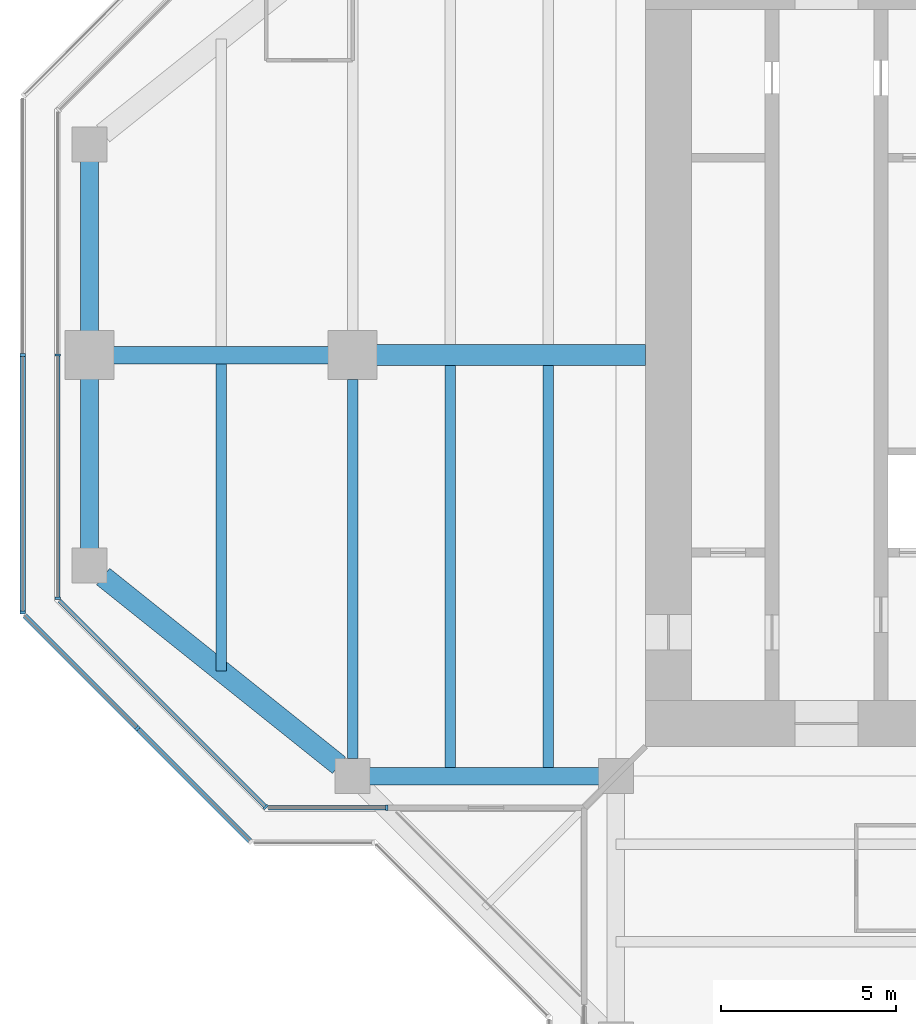
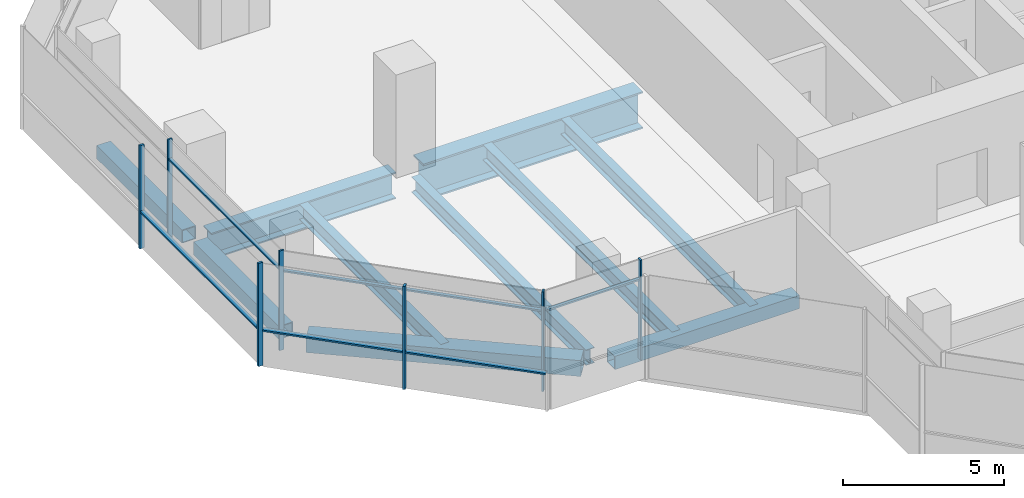
# One storey, part 3 of 15: 13 members, 10 beams, 5 elements without a shape of their own.
"""IFC4 building model written with IfcOpenShell, lengths in metres."""

import ifcopenshell
import ifcopenshell.guid

model = None  # the IFC model being written
_history = None  # IfcOwnerHistory: only IFC2X3 demands one
_inside = {}  # id of a spatial element -> (the spatial element, [elements in it])
_under = {}  # id of a project, library or spatial element -> (it, [spatial elements below it])
_declared = {}  # id of a project -> (the project, [libraries it declares])
_typed = {}  # id of a type object -> (the type object, [elements of that type])
_made_of = {}  # id of a material, layer set ... -> (it, [elements and type objects made of it])


def new_model(schema):
    """Start an empty IFC model of exactly this schema.

    Asked for "IFC4X3", IfcOpenShell would pick the latest addendum, in which some entities
    have other attributes; the version numbers below select the first issue.
    IFC2X3 requires an IfcOwnerHistory on every rooted entity: one is made here for all.
    """
    global model, _history
    if schema == "IFC4X3":
        model = ifcopenshell.file(schema_version=(4, 3, 0, 0))
    else:
        model = ifcopenshell.file(schema=schema)
    _inside.clear()
    _under.clear()
    _declared.clear()
    _typed.clear()
    _made_of.clear()
    _history = None
    if model.schema == "IFC2X3":
        org = make("IfcOrganization", Name="unknown")
        user = make(
            "IfcPersonAndOrganization",
            ThePerson=make("IfcPerson", FamilyName="unknown"),
            TheOrganization=org,
        )
        app = make(
            "IfcApplication",
            ApplicationDeveloper=org,
            Version="unknown",
            ApplicationFullName="unknown",
            ApplicationIdentifier="unknown",
        )
        _history = make(
            "IfcOwnerHistory",
            OwningUser=user,
            OwningApplication=app,
            ChangeAction="ADDED",
            CreationDate=0,
        )
    return model


def make(cls, **values):
    """One entity of the class cls with the attributes given. An attribute that is None is left unset."""
    return model.create_entity(
        cls, **{name: value for name, value in values.items() if value is not None}
    )


def rooted(cls, **values):
    """An entity with a GlobalId (a new one), such as an element, a storey or a relation."""
    return make(cls, GlobalId=ifcopenshell.guid.new(), OwnerHistory=_history, **values)


def si_unit(unit_type, name, prefix=None):
    """IfcSIUnit, for example si_unit("LENGTHUNIT", "METRE", prefix="MILLI")."""
    return make("IfcSIUnit", UnitType=unit_type, Prefix=prefix, Name=name)


def assignment(units):
    """IfcUnitAssignment: the units of a project."""
    return None if units is None else make("IfcUnitAssignment", Units=units)


def point(xyz):
    """IfcCartesianPoint."""
    return None if xyz is None else make("IfcCartesianPoint", Coordinates=xyz)


def direction(xyz):
    """IfcDirection."""
    return None if xyz is None else make("IfcDirection", DirectionRatios=xyz)


def frame(location, z_axis=None, x_axis=None):
    """IfcAxis2Placement3D, a coordinate frame: its origin and axes. An axis left out is left unset."""
    return make(
        "IfcAxis2Placement3D",
        Location=point(location),
        Axis=direction(z_axis),
        RefDirection=direction(x_axis),
    )


def frame_2d(location, x_axis=None):
    """IfcAxis2Placement2D, a coordinate frame in the plane: its origin and x axis."""
    return make(
        "IfcAxis2Placement2D", Location=point(location), RefDirection=direction(x_axis)
    )


def origin():
    """The frame at (0, 0, 0) with its axes left unset."""
    return frame((0.0, 0.0, 0.0))


def origin_2d():
    """The frame at (0, 0) in the plane with its x axis left unset."""
    return frame_2d((0.0, 0.0))


def place(relative_to, where):
    """IfcLocalPlacement: puts the frame where relative to a parent placement (None: the world)."""
    return make(
        "IfcLocalPlacement", PlacementRelTo=relative_to, RelativePlacement=where
    )


def context(
    kind, dimensions, precision=None, world=None, true_north=None, identifier=None
):
    """IfcGeometricRepresentationContext, for example the 3D "Model" context."""
    return make(
        "IfcGeometricRepresentationContext",
        ContextIdentifier=identifier,
        ContextType=kind,
        CoordinateSpaceDimension=dimensions,
        Precision=precision,
        WorldCoordinateSystem=world,
        TrueNorth=true_north,
    )


def subcontext(parent, identifier, kind, view, scale=None):
    """IfcGeometricRepresentationSubContext, for example "Body" below "Model"."""
    return make(
        "IfcGeometricRepresentationSubContext",
        ContextIdentifier=identifier,
        ContextType=kind,
        ParentContext=parent,
        TargetScale=scale,
        TargetView=view,
    )


def project(units=None, contexts=None):
    """IfcProject with its units and contexts."""
    return rooted(
        "IfcProject",
        Name="project",
        RepresentationContexts=contexts,
        UnitsInContext=assignment(units),
    )


def spatial(cls, under=None, at=None, **own):
    """A site, building, storey or space (cls), placed at a placement, below another one or the project."""
    s = rooted(cls, ObjectPlacement=at, **own)
    if under is not None:
        _under.setdefault(under.id(), (under, []))[1].append(s)
    return s


def profile(cls, at=None, kind="AREA", **sizes):
    """A parametric profile (cls). Its sizes go by their IFC names, for example OverallWidth=200.0."""
    return make(cls, ProfileType=kind, Position=at, **sizes)


def rectangle(**sizes):
    """IfcRectangleProfileDef."""
    return profile("IfcRectangleProfileDef", **sizes)


def hollow_rectangle(**sizes):
    """IfcRectangleHollowProfileDef."""
    return profile("IfcRectangleHollowProfileDef", **sizes)


def i_section(**sizes):
    """IfcIShapeProfileDef."""
    return profile("IfcIShapeProfileDef", **sizes)


def extrude(swept, where, along, depth):
    """IfcExtrudedAreaSolid: the profile swept, set in the frame where, extruded along a direction by depth."""
    return make(
        "IfcExtrudedAreaSolid",
        SweptArea=swept,
        Position=where,
        ExtrudedDirection=direction(along),
        Depth=depth,
    )


def shape(context_of_items, identifier, shape_type, items):
    """IfcShapeRepresentation: the items that make up one representation, for example the "Body"."""
    return make(
        "IfcShapeRepresentation",
        ContextOfItems=context_of_items,
        RepresentationIdentifier=identifier,
        RepresentationType=shape_type,
        Items=items,
    )


def material(Name=None, Category=None):
    """IfcMaterial."""
    return make("IfcMaterial", Name=Name, Category=Category)


def material_profile(
    of_material, cross_section, Name=None, Category=None, Priority=None
):
    """IfcMaterialProfile: a cross section and its material."""
    return make(
        "IfcMaterialProfile",
        Name=Name,
        Material=of_material,
        Profile=cross_section,
        Priority=Priority,
        Category=Category,
    )


def profile_set(profiles, Name=None, composite=None):
    """IfcMaterialProfileSet."""
    return make(
        "IfcMaterialProfileSet",
        Name=Name,
        MaterialProfiles=profiles,
        CompositeProfile=composite,
    )


def made_of(thing, what):
    """Note that an element or type object is made of a material, layer set ...; save() writes the relation."""
    if what is not None:
        _made_of.setdefault(what.id(), (what, []))[1].append(thing)
    return thing


def type_object(cls, material=None, **own):
    """A type object (cls), such as IfcWallType, which elements share."""
    return made_of(rooted(cls, **own), material)


def element(
    cls,
    number,
    at=None,
    inside=None,
    cuts=None,
    type_object=None,
    material=None,
    context=None,
    identifier="Body",
    shape_type=None,
    held_by="IfcProductDefinitionShape",
    body=None,
    shapes=None,
    **own,
):
    """One element of the class cls, such as IfcWall. Its Tag is "e" and its number.

    at: its placement. inside: the storey or other place that contains it. cuts: it is an
    opening in that element (IfcRelVoidsElement). A single representation is given by context,
    identifier, shape_type and body (its items); several are given by shapes. held_by: the class
    of the entity that holds the representations. save() writes the other relations.
    """
    e = rooted(cls, Tag="e%d" % number, ObjectPlacement=at, **own)
    if body is not None:
        shapes = [shape(context, identifier, shape_type, body)]
    if shapes is not None:
        e.Representation = make(held_by, Representations=shapes)
    if inside is not None:
        _inside.setdefault(inside.id(), (inside, []))[1].append(e)
    if cuts is not None:
        rooted(
            "IfcRelVoidsElement", RelatingBuildingElement=cuts, RelatedOpeningElement=e
        )
    if type_object is not None:
        _typed.setdefault(type_object.id(), (type_object, []))[1].append(e)
    return made_of(e, material)


def aggregate(whole, parts):
    """IfcRelAggregates: a whole, such as a stair, and the parts it consists of."""
    return rooted("IfcRelAggregates", RelatingObject=whole, RelatedObjects=parts)


def save(model, path):
    """Write the relations noted so far, then the file.

    IfcRelAggregates (storeys below a building ...), IfcRelContainedInSpatialStructure (elements
    in a storey), IfcRelDefinesByType, IfcRelAssociatesMaterial and IfcRelDeclares: one each for
    every whole, place, type object, material and project.
    """
    for whole, parts in _under.values():
        aggregate(whole, parts)
    for where, things in _inside.values():
        rooted(
            "IfcRelContainedInSpatialStructure",
            RelatedElements=things,
            RelatingStructure=where,
        )
    for kind, things in _typed.values():
        rooted("IfcRelDefinesByType", RelatedObjects=things, RelatingType=kind)
    for what, things in _made_of.values():
        rooted("IfcRelAssociatesMaterial", RelatedObjects=things, RelatingMaterial=what)
    for by, libraries in _declared.values():
        rooted("IfcRelDeclares", RelatingContext=by, RelatedDefinitions=libraries)
    model.write(path)


model = new_model("IFC4")

# Units and contexts
model_context = context("Model", 3, precision=1e-05, world=origin(), true_north=direction((0.0, 1.0)))
body_context = subcontext(model_context, "Body", "Model", "MODEL_VIEW")
ifc_project = project(units=[si_unit("LENGTHUNIT", "METRE"), si_unit("AREAUNIT", "SQUARE_METRE"), si_unit("VOLUMEUNIT", "CUBIC_METRE"), si_unit("PLANEANGLEUNIT", "RADIAN"), si_unit("MASSUNIT", "GRAM", prefix="KILO")], contexts=[model_context])

# Site, building, storey
site_placement = place(None, origin())
site = spatial("IfcSite", under=ifc_project, at=site_placement, CompositionType="ELEMENT")
building_placement = place(site_placement, origin())
building = spatial("IfcBuilding", under=site, at=building_placement, Name="Mizan Broadcast Tower", CompositionType="ELEMENT")
storey_placement = place(building_placement, frame((0.0, 0.0, 275.10009765625)))
storey = spatial("IfcBuildingStorey", under=building, at=storey_placement, Name="L65", CompositionType="ELEMENT", Elevation=275.10009765625)

# Beams
ifc_material_1 = material(Name="Steel S355", Category="steel")
ifc_material_profile_1 = material_profile(ifc_material_1, hollow_rectangle(XDim=0.5, YDim=0.5, WallThickness=0.030029296875, at=origin_2d()), Name="BOX 500x500x30")
ifc_profile_set_1 = profile_set([ifc_material_profile_1], Name="Steel S355")
beam_type_1 = type_object("IfcBeamType", Name="EDGE BEAM BOX 500x500x30", PredefinedType="SPANDREL", material=ifc_profile_set_1)
beam_1_placement = place(storey_placement, frame((-27.0, 5.639892578125, -0.380126953125), z_axis=(0.0, -1.0, 0.0), x_axis=(1.0, 0.0, 0.0)))
element("IfcBeam", 1, at=beam_1_placement, inside=storey, type_object=beam_type_1, Name="Edge beam BOX 500x500x30 L65 west arm", PredefinedType="SPANDREL", context=body_context, shape_type="SweptSolid", body=[
    extrude(hollow_rectangle(XDim=0.5, YDim=0.5, WallThickness=0.030029296875, at=origin_2d()), origin(), (0.0, 0.0, 1.0), 5.27978515625),
])
beam_2_placement = place(storey_placement, frame((-12.449951171875, -12.0, -0.380126953125), z_axis=(-1.0, 0.0, 0.0), x_axis=(0.0, -1.0, 0.0)))
element("IfcBeam", 2, at=beam_2_placement, inside=storey, type_object=beam_type_1, Name="Edge beam BOX 500x500x30 L65 west arm", PredefinedType="SPANDREL", context=body_context, shape_type="SweptSolid", body=[
    extrude(hollow_rectangle(XDim=0.5, YDim=0.5, WallThickness=0.030029296875, at=origin_2d()), origin(), (0.0, 0.0, 1.0), 6.60009765625),
])
beam_3_placement = place(storey_placement, frame((-27.0, -5.639892578125, -0.380126953125), z_axis=(0.0, 1.0, 0.0), x_axis=(-1.0, 0.0, 0.0)))
element("IfcBeam", 3, at=beam_3_placement, inside=storey, type_object=beam_type_1, Name="Edge beam BOX 500x500x30 L65 west arm", PredefinedType="SPANDREL", context=body_context, shape_type="SweptSolid", body=[
    extrude(hollow_rectangle(XDim=0.5, YDim=0.5, WallThickness=0.030029296875, at=origin_2d()), origin(), (0.0, 0.0, 1.0), 5.27978515625),
])
ifc_material_2 = material(Name="Steel S355", Category="steel")
ifc_material_profile_2 = material_profile(ifc_material_2, hollow_rectangle(XDim=0.60009765625, YDim=0.60009765625, WallThickness=0.030029296875, at=origin_2d()), Name="BOX 600x600x30")
ifc_profile_set_2 = profile_set([ifc_material_profile_2], Name="Steel S355")
beam_type_2 = type_object("IfcBeamType", Name="EDGE BEAM BOX 600x600x30", PredefinedType="SPANDREL", material=ifc_profile_set_2)
beam_4_placement = place(storey_placement, frame((-19.890380859375, -11.687744140625, -0.43017578125), z_axis=(-0.780863273348, 0.62470196761, 0.0), x_axis=(-0.62470196761, -0.780863273348, 0.0)))
element("IfcBeam", 4, at=beam_4_placement, inside=storey, type_object=beam_type_2, Name="Edge beam BOX 600x600x30 L65 west arm", PredefinedType="SPANDREL", context=body_context, shape_type="SweptSolid", body=[
    extrude(hollow_rectangle(XDim=0.60009765625, YDim=0.60009765625, WallThickness=0.030029296875, at=origin_2d()), origin(), (0.0, 0.0, 1.0), 8.60498046875),
])
ifc_material_3 = material(Name="Steel S355", Category="steel")
ifc_material_profile_3 = material_profile(ifc_material_3, i_section(OverallWidth=0.300048828125, OverallDepth=0.590087890625, WebThickness=0.012939453125, FlangeThickness=0.02490234375, FilletRadius=0.027099609375, at=origin_2d()), Name="HEA 600")
ifc_profile_set_3 = profile_set([ifc_material_profile_3], Name="Steel S355")
beam_type_3 = type_object("IfcBeamType", Name="GIRDER HEA 600", PredefinedType="BEAM", material=ifc_profile_set_3)
beam_5_placement = place(storey_placement, frame((-19.5, -11.5, -0.425048828125), z_axis=(0.0, 1.0, 0.0), x_axis=(-1.0, 0.0, 0.0)))
element("IfcBeam", 5, at=beam_5_placement, inside=storey, type_object=beam_type_3, Name="Girder HEA 600 L65 west arm", PredefinedType="BEAM", context=body_context, shape_type="SweptSolid", body=[
    extrude(i_section(OverallWidth=0.300048828125, OverallDepth=0.590087890625, WebThickness=0.012939453125, FlangeThickness=0.02490234375, FilletRadius=0.027099609375, at=origin_2d()), origin(), (0.0, 0.0, 1.0), 10.800048828125),
])
ifc_material_4 = material(Name="Steel S460", Category="steel")
ifc_material_profile_4 = material_profile(ifc_material_4, i_section(OverallWidth=0.5, OverallDepth=1.0, WebThickness=0.02490234375, FlangeThickness=0.050048828125, at=origin_2d()), Name="WPG 1000x500")
ifc_profile_set_4 = profile_set([ifc_material_profile_4], Name="Steel S460")
beam_type_4 = type_object("IfcBeamType", Name="GIRDER WPG 1000x500", PredefinedType="BEAM", material=ifc_profile_set_4)
beam_6_placement = place(storey_placement, frame((-19.949951171875, 0.0, -0.630126953125), z_axis=(-1.0, 0.0, 0.0), x_axis=(0.0, -1.0, 0.0)))
element("IfcBeam", 6, at=beam_6_placement, inside=storey, type_object=beam_type_4, Name="Girder WPG 1000x500 L65 west arm", PredefinedType="BEAM", context=body_context, shape_type="SweptSolid", body=[
    extrude(i_section(OverallWidth=0.5, OverallDepth=1.0, WebThickness=0.02490234375, FlangeThickness=0.050048828125, at=origin_2d()), origin(), (0.0, 0.0, 1.0), 6.60009765625),
])
ifc_material_5 = material(Name="Steel S460", Category="steel")
ifc_material_profile_5 = material_profile(ifc_material_5, i_section(OverallWidth=0.60009765625, OverallDepth=1.39990234375, WebThickness=0.02490234375, FlangeThickness=0.06005859375, at=origin_2d()), Name="WPG 1400x600")
ifc_profile_set_5 = profile_set([ifc_material_profile_5], Name="Steel S460")
beam_type_5 = type_object("IfcBeamType", Name="GIRDER WPG 1400x600", PredefinedType="BEAM", material=ifc_profile_set_5)
beam_7_placement = place(storey_placement, frame((-11.14990234375, 0.0, -0.830078125), z_axis=(-1.0, 0.0, 0.0), x_axis=(0.0, -1.0, 0.0)))
element("IfcBeam", 7, at=beam_7_placement, inside=storey, type_object=beam_type_5, Name="Girder WPG 1400x600 L65 west arm", PredefinedType="BEAM", context=body_context, shape_type="SweptSolid", body=[
    extrude(i_section(OverallWidth=0.60009765625, OverallDepth=1.39990234375, WebThickness=0.02490234375, FlangeThickness=0.06005859375, at=origin_2d()), origin(), (0.0, 0.0, 1.0), 7.84912109375),
])

# Curtain wall, members
ifc_material_6 = material(Name="Aluminium framed glazing", Category="aluminium")
curtain_wall_type_1 = type_object("IfcCurtainWallType", Name="INNER SKIN TOP ZONE", PredefinedType="USERDEFINED", material=ifc_material_6)
curtain_wall_1_placement = place(storey_placement, origin())
curtain_wall_1 = element("IfcCurtainWall", 8, at=curtain_wall_1_placement, inside=storey, type_object=curtain_wall_type_1, Name="Inner skin top zone L65 W end", ObjectType="INNER SKIN TOP ZONE", PredefinedType="USERDEFINED")
ifc_material_7 = material(Name="Aluminium, pale anodised", Category="aluminium")
ifc_material_profile_6 = material_profile(ifc_material_7, rectangle(XDim=0.159912109375, YDim=0.06005859375, at=origin_2d()), Name="MULLION 160x60")
ifc_profile_set_6 = profile_set([ifc_material_profile_6], Name="Aluminium, pale anodised")
member_type_1 = type_object("IfcMemberType", Name="INNER SKIN MULLION 60x160", PredefinedType="MULLION", material=ifc_profile_set_6)
member_1_placement = place(storey_placement, frame((-27.89990234375, 0.0, 0.0), z_axis=(0.0, 0.0, 1.0), x_axis=(1.0, 0.0, 0.0)))
member_1 = element("IfcMember", 9, at=member_1_placement, type_object=member_type_1, Name="Inner skin top zone L65 W end mullion 2", PredefinedType="MULLION", context=body_context, shape_type="SweptSolid", body=[
    extrude(rectangle(XDim=0.159912109375, YDim=0.06005859375, at=origin_2d()), origin(), (0.0, 0.0, 1.0), 3.77001953125),
])
member_2_placement = place(storey_placement, frame((-27.89990234375, -6.928466796875, 0.0), z_axis=(0.0, 0.0, 1.0), x_axis=(1.0, 0.0, 0.0)))
member_2 = element("IfcMember", 10, at=member_2_placement, type_object=member_type_1, Name="Inner skin top zone L65 W end mullion 3", PredefinedType="MULLION", context=body_context, shape_type="SweptSolid", body=[
    extrude(rectangle(XDim=0.159912109375, YDim=0.06005859375, at=origin_2d()), origin(), (0.0, 0.0, 1.0), 3.77001953125),
])

# Curtain wall, member
curtain_wall_2_placement = place(storey_placement, origin())
curtain_wall_2 = element("IfcCurtainWall", 11, at=curtain_wall_2_placement, inside=storey, type_object=curtain_wall_type_1, Name="Inner skin top zone L65 W chamfer", ObjectType="INNER SKIN TOP ZONE", PredefinedType="USERDEFINED")
member_3_placement = place(storey_placement, frame((-21.979736328125, -12.87890625, 0.0), z_axis=(0.0, 0.0, 1.0), x_axis=(0.707106781187, 0.707106781187, 0.0)))
member_3 = element("IfcMember", 12, at=member_3_placement, type_object=member_type_1, Name="Inner skin top zone L65 W chamfer mullion 2", PredefinedType="MULLION", context=body_context, shape_type="SweptSolid", body=[
    extrude(rectangle(XDim=0.159912109375, YDim=0.06005859375, at=origin_2d()), origin(), (0.0, 0.0, 1.0), 3.77001953125),
])

curtain_wall_3_placement = place(storey_placement, origin())
curtain_wall_3 = element("IfcCurtainWall", 13, at=curtain_wall_3_placement, inside=storey, type_object=curtain_wall_type_1, Name="Inner skin top zone L65 W side", ObjectType="INNER SKIN TOP ZONE", PredefinedType="USERDEFINED")
member_4_placement = place(storey_placement, frame((-18.530029296875, -12.89990234375, 0.0), z_axis=(0.0, 0.0, 1.0), x_axis=(0.0, 1.0, 0.0)))
member_4 = element("IfcMember", 14, at=member_4_placement, type_object=member_type_1, Name="Inner skin top zone L65 W side mullion 2", PredefinedType="MULLION", context=body_context, shape_type="SweptSolid", body=[
    extrude(rectangle(XDim=0.159912109375, YDim=0.06005859375, at=origin_2d()), origin(), (0.0, 0.0, 1.0), 3.77001953125),
])

# Member
ifc_material_8 = material(Name="Aluminium, pale anodised", Category="aluminium")
ifc_material_profile_7 = material_profile(ifc_material_8, rectangle(XDim=0.1201171875, YDim=0.06005859375, at=origin_2d()), Name="TRANSOM 120x60")
ifc_profile_set_7 = profile_set([ifc_material_profile_7], Name="Aluminium, pale anodised")
member_type_2 = type_object("IfcMemberType", Name="INNER SKIN TRANSOM 60x120", PredefinedType="USERDEFINED", material=ifc_profile_set_7)
member_5_placement = place(storey_placement, frame((-27.89990234375, -0.030029296875, 3.02978515625), z_axis=(0.0, -1.0, 0.0), x_axis=(1.0, 0.0, 0.0)))
member_5 = element("IfcMember", 15, at=member_5_placement, type_object=member_type_2, Name="Inner skin top zone L65 W end transom 2.1", ObjectType="TRANSOM", PredefinedType="USERDEFINED", context=body_context, shape_type="SweptSolid", body=[
    extrude(rectangle(XDim=0.1201171875, YDim=0.06005859375, at=origin_2d()), origin(), (0.0, 0.0, 1.0), 6.86865234375),
])

aggregate(curtain_wall_1, [member_1, member_2, member_5])

member_6_placement = place(storey_placement, frame((-27.857666015625, -7.0009765625, 3.02978515625), z_axis=(0.707106781187, -0.707106781187, 0.0), x_axis=(0.707106781187, 0.707106781187, 0.0)))
member_6 = element("IfcMember", 16, at=member_6_placement, type_object=member_type_2, Name="Inner skin top zone L65 W chamfer transom 1.1", ObjectType="TRANSOM", PredefinedType="USERDEFINED", context=body_context, shape_type="SweptSolid", body=[
    extrude(rectangle(XDim=0.1201171875, YDim=0.06005859375, at=origin_2d()), origin(), (0.0, 0.0, 1.0), 8.28271484375),
])

aggregate(curtain_wall_2, [member_3, member_6])

member_7_placement = place(storey_placement, frame((-21.898681640625, -12.89990234375, 3.02978515625), z_axis=(1.0, 0.0, 0.0), x_axis=(0.0, 1.0, 0.0)))
member_7 = element("IfcMember", 17, at=member_7_placement, type_object=member_type_2, Name="Inner skin top zone L65 W side transom 1.1", ObjectType="TRANSOM", PredefinedType="USERDEFINED", context=body_context, shape_type="SweptSolid", body=[
    extrude(rectangle(XDim=0.1201171875, YDim=0.06005859375, at=origin_2d()), origin(), (0.0, 0.0, 1.0), 3.338623046875),
])

aggregate(curtain_wall_3, [member_4, member_7])

# Curtain wall, member
ifc_material_9 = material(Name="Aluminium framed glazing", Category="aluminium")
curtain_wall_type_2 = type_object("IfcCurtainWallType", Name="OUTER SKIN", PredefinedType="USERDEFINED", material=ifc_material_9)
curtain_wall_4_placement = place(storey_placement, origin())
curtain_wall_4 = element("IfcCurtainWall", 18, at=curtain_wall_4_placement, inside=storey, type_object=curtain_wall_type_2, Name="Outer skin L65 W chamfer", ObjectType="OUTER SKIN", PredefinedType="USERDEFINED")
ifc_material_10 = material(Name="Aluminium, pale anodised", Category="aluminium")
ifc_material_profile_8 = material_profile(ifc_material_10, rectangle(XDim=0.159912109375, YDim=0.080078125, at=origin_2d()), Name="MULLION 160x80")
ifc_profile_set_8 = profile_set([ifc_material_profile_8], Name="Aluminium, pale anodised")
member_type_3 = type_object("IfcMemberType", Name="OUTER SKIN MULLION 80x160", PredefinedType="MULLION", material=ifc_profile_set_8)
member_8_placement = place(storey_placement, frame((-25.636474609375, -10.636474609375, 0.0), z_axis=(0.0, 0.0, 1.0), x_axis=(0.707106781187, 0.707106781187, 0.0)))
member_8 = element("IfcMember", 19, at=member_8_placement, type_object=member_type_3, Name="Outer skin L65 W chamfer mullion 2", PredefinedType="MULLION", context=body_context, shape_type="SweptSolid", body=[
    extrude(rectangle(XDim=0.159912109375, YDim=0.080078125, at=origin_2d()), origin(), (0.0, 0.0, 1.0), 3.89990234375),
])

# Curtain wall, members
curtain_wall_5_placement = place(storey_placement, origin())
curtain_wall_5 = element("IfcCurtainWall", 20, at=curtain_wall_5_placement, inside=storey, type_object=curtain_wall_type_2, Name="Outer skin L65 W end", ObjectType="OUTER SKIN", PredefinedType="USERDEFINED")
member_9_placement = place(storey_placement, frame((-28.89990234375, 0.0, 0.0), z_axis=(0.0, 0.0, 1.0), x_axis=(1.0, 0.0, 0.0)))
member_9 = element("IfcMember", 21, at=member_9_placement, type_object=member_type_3, Name="Outer skin L65 W end mullion 2", PredefinedType="MULLION", context=body_context, shape_type="SweptSolid", body=[
    extrude(rectangle(XDim=0.159912109375, YDim=0.080078125, at=origin_2d()), origin(), (0.0, 0.0, 1.0), 3.89990234375),
])
member_10_placement = place(storey_placement, frame((-28.89990234375, -7.332763671875, 0.0), z_axis=(0.0, 0.0, 1.0), x_axis=(1.0, 0.0, 0.0)))
member_10 = element("IfcMember", 22, at=member_10_placement, type_object=member_type_3, Name="Outer skin L65 W end mullion 3", PredefinedType="MULLION", context=body_context, shape_type="SweptSolid", body=[
    extrude(rectangle(XDim=0.159912109375, YDim=0.080078125, at=origin_2d()), origin(), (0.0, 0.0, 1.0), 3.89990234375),
])

# Member
ifc_material_11 = material(Name="Aluminium, pale anodised", Category="aluminium")
ifc_material_profile_9 = material_profile(ifc_material_11, rectangle(XDim=0.159912109375, YDim=0.06005859375, at=origin_2d()), Name="TRANSOM 160x60")
ifc_profile_set_9 = profile_set([ifc_material_profile_9], Name="Aluminium, pale anodised")
member_type_4 = type_object("IfcMemberType", Name="OUTER SKIN TRANSOM 60x160", PredefinedType="USERDEFINED", material=ifc_profile_set_9)
member_11_placement = place(storey_placement, frame((-28.843505859375, -7.429443359375, 1.39990234375), z_axis=(0.707106781187, -0.707106781187, 0.0), x_axis=(0.707106781187, 0.707106781187, 0.0)))
member_11 = element("IfcMember", 23, at=member_11_placement, type_object=member_type_4, Name="Outer skin L65 W chamfer transom 1.1", ObjectType="TRANSOM", PredefinedType="USERDEFINED", context=body_context, shape_type="SweptSolid", body=[
    extrude(rectangle(XDim=0.159912109375, YDim=0.06005859375, at=origin_2d()), origin(), (0.0, 0.0, 1.0), 4.495361328125),
])

member_12_placement = place(storey_placement, frame((-25.608154296875, -10.664794921875, 1.39990234375), z_axis=(0.707106781187, -0.707106781187, 0.0), x_axis=(0.707106781187, 0.707106781187, 0.0)))
member_12 = element("IfcMember", 24, at=member_12_placement, type_object=member_type_4, Name="Outer skin L65 W chamfer transom 2.1", ObjectType="TRANSOM", PredefinedType="USERDEFINED", context=body_context, shape_type="SweptSolid", body=[
    extrude(rectangle(XDim=0.159912109375, YDim=0.06005859375, at=origin_2d()), origin(), (0.0, 0.0, 1.0), 4.495361328125),
])

aggregate(curtain_wall_4, [member_8, member_11, member_12])

member_13_placement = place(storey_placement, frame((-28.89990234375, -0.0400390625, 1.39990234375), z_axis=(0.0, -1.0, 0.0), x_axis=(1.0, 0.0, 0.0)))
member_13 = element("IfcMember", 25, at=member_13_placement, type_object=member_type_4, Name="Outer skin L65 W end transom 2.1", ObjectType="TRANSOM", PredefinedType="USERDEFINED", context=body_context, shape_type="SweptSolid", body=[
    extrude(rectangle(XDim=0.159912109375, YDim=0.06005859375, at=origin_2d()), origin(), (0.0, 0.0, 1.0), 7.252685546875),
])

aggregate(curtain_wall_5, [member_9, member_10, member_13])

# Beams
ifc_material_12 = material(Name="Steel S355", Category="steel")
ifc_material_profile_10 = material_profile(ifc_material_12, i_section(OverallWidth=0.300048828125, OverallDepth=0.590087890625, WebThickness=0.012939453125, FlangeThickness=0.02490234375, FilletRadius=0.027099609375, at=origin_2d()), Name="HEA 600")
ifc_profile_set_10 = profile_set([ifc_material_profile_10], Name="Steel S355")
beam_type_6 = type_object("IfcBeamType", Name="SECONDARY BEAM HEA 600", PredefinedType="JOIST", material=ifc_profile_set_10)
for number, where, z_axis, x_axis, name in (
    (26, (-13.933349609375, -12.0, -0.425048828125), (0.0, 1.0, 0.0), (-1.0, 0.0, 0.0), "Secondary beam HEA 600 L65 west arm"),
    (27, (-16.716552734375, -12.0, -0.425048828125), (0.0, 1.0, 0.0), (-1.0, 0.0, 0.0), "Secondary beam HEA 600 L65 west arm"),
):
    element("IfcBeam", number, at=place(storey_placement, frame(where, z_axis=z_axis, x_axis=x_axis)), inside=storey, type_object=beam_type_6, Name=name, PredefinedType="JOIST", context=body_context, shape_type="SweptSolid", body=[
        extrude(i_section(OverallWidth=0.300048828125, OverallDepth=0.590087890625, WebThickness=0.012939453125, FlangeThickness=0.02490234375, FilletRadius=0.027099609375, at=origin_2d()), origin(), (0.0, 0.0, 1.0), 11.699951171875),
    ])
beam_8_placement = place(storey_placement, frame((-23.25, -9.0, -0.425048828125), z_axis=(0.0, 1.0, 0.0), x_axis=(-1.0, 0.0, 0.0)))
element("IfcBeam", 28, at=beam_8_placement, inside=storey, type_object=beam_type_6, Name="Secondary beam HEA 600 L65 west arm", PredefinedType="JOIST", context=body_context, shape_type="SweptSolid", body=[
    extrude(i_section(OverallWidth=0.300048828125, OverallDepth=0.590087890625, WebThickness=0.012939453125, FlangeThickness=0.02490234375, FilletRadius=0.027099609375, at=origin_2d()), origin(), (0.0, 0.0, 1.0), 8.75),
])

save(model, "model.ifc")
